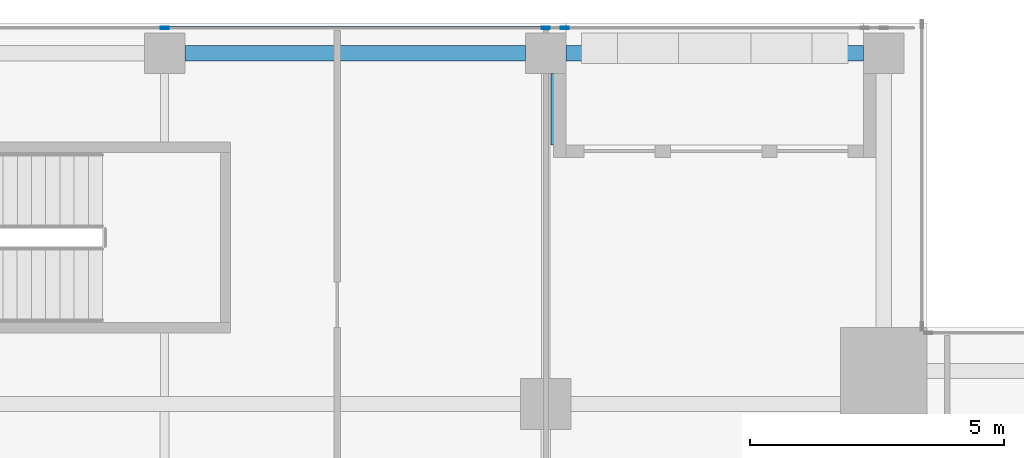
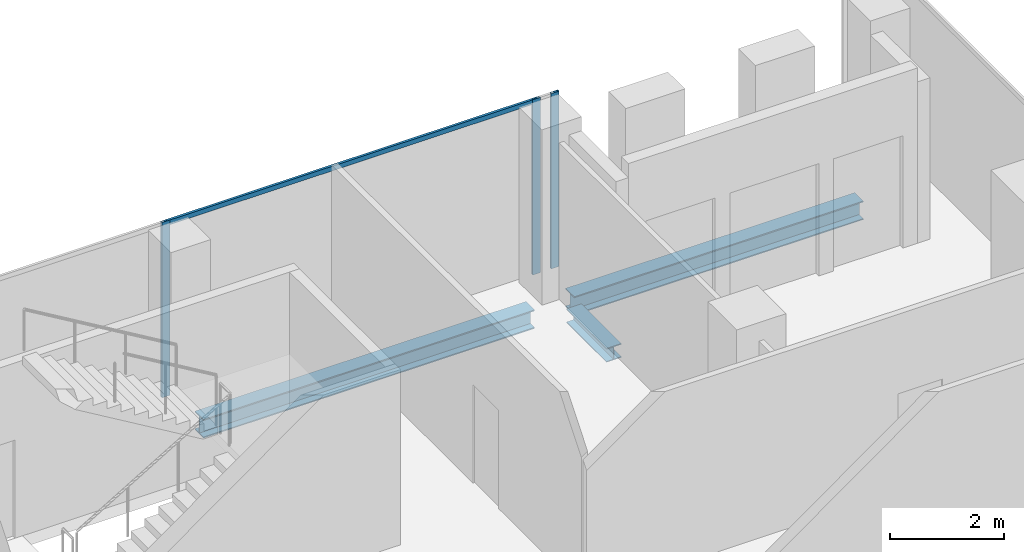
# One storey, part 16 of 29: 4 members, 3 beams, 1 element without a shape of its own.
"""IFC4 building model written with IfcOpenShell, lengths in metres."""

from ifc_helpers import new_model, si_unit, direction, frame, origin, origin_2d, place, context, subcontext, project, spatial, hollow_rectangle, i_section, extrude, source, transform, mapped, material, material_profile, profile_set, type_object, element, aggregate, save


model = new_model("IFC4")

# Units and contexts
model_context = context("Model", 3, precision=1e-05, world=origin(), true_north=direction((0.0, 1.0)))
body_context = subcontext(model_context, "Body", "Model", "MODEL_VIEW")
ifc_project = project(units=[si_unit("LENGTHUNIT", "METRE"), si_unit("AREAUNIT", "SQUARE_METRE"), si_unit("VOLUMEUNIT", "CUBIC_METRE"), si_unit("PLANEANGLEUNIT", "RADIAN"), si_unit("MASSUNIT", "GRAM", prefix="KILO")], contexts=[model_context])

# Site, building, storey
site_placement = place(None, origin())
site = spatial("IfcSite", under=ifc_project, at=site_placement, CompositionType="ELEMENT")
building_placement = place(site_placement, origin())
building = spatial("IfcBuilding", under=site, at=building_placement, Name="Khomas Fold Tower", CompositionType="ELEMENT")
storey_placement = place(building_placement, frame((0.0, 0.0, 290.199951171875)))
storey = spatial("IfcBuildingStorey", under=building, at=storey_placement, Name="L65", CompositionType="ELEMENT", Elevation=290.199951171875)

# Beams
ifc_material_1 = material(Name="Steel S355", Category="steel")
ifc_material_profile_1 = material_profile(ifc_material_1, i_section(OverallWidth=0.300048828125, OverallDepth=0.39990234375, WebThickness=0.013427734375, FlangeThickness=0.02392578125, at=origin_2d()), Name="HE 400 B")
ifc_profile_set_1 = profile_set([ifc_material_profile_1], Name="Steel S355")
beam_type_1 = type_object("IfcBeamType", Name="HE 400 B spandrel SB5", PredefinedType="SPANDREL", material=ifc_profile_set_1)
shared_shape_1 = source(origin(), body_context, "Body", "SweptSolid", [
    extrude(i_section(OverallWidth=0.300048828125, OverallDepth=0.39990234375, WebThickness=0.013427734375, FlangeThickness=0.02392578125, at=origin_2d()), origin(), (0.0, 0.0, 1.0), 5.85009765625),
])
beam_1_placement = place(storey_placement, frame((34.89990234375, 47.39990234375, -0.449951171875), z_axis=(1.0, 0.0, 0.0), x_axis=(0.0, 1.0, 0.0)))
element("IfcBeam", 1, at=beam_1_placement, inside=storey, type_object=beam_type_1, Name="SB5", PredefinedType="SPANDREL", context=body_context, shape_type="MappedRepresentation", body=[
    mapped(shared_shape_1, transform((0.0, 0.0, 0.0))),
])
shared_shape_2 = source(origin(), body_context, "Body", "SweptSolid", [
    extrude(i_section(OverallWidth=0.300048828125, OverallDepth=0.39990234375, WebThickness=0.013427734375, FlangeThickness=0.02392578125, at=origin_2d()), origin(), (0.0, 0.0, 1.0), 6.7001953125),
])
beam_2_placement = place(storey_placement, frame((27.39990234375, 47.39990234375, -0.449951171875), z_axis=(1.0, 0.0, 0.0), x_axis=(0.0, 1.0, 0.0)))
element("IfcBeam", 2, at=beam_2_placement, inside=storey, type_object=beam_type_1, Name="SB5", PredefinedType="SPANDREL", context=body_context, shape_type="MappedRepresentation", body=[
    mapped(shared_shape_2, transform((0.0, 0.0, 0.0))),
])
ifc_material_2 = material(Name="Steel S355", Category="steel")
ifc_material_profile_2 = material_profile(ifc_material_2, i_section(OverallWidth=0.300048828125, OverallDepth=0.300048828125, WebThickness=0.010986328125, FlangeThickness=0.01904296875, at=origin_2d()), Name="HE 300 B")
ifc_profile_set_2 = profile_set([ifc_material_profile_2], Name="Steel S355")
beam_type_2 = type_object("IfcBeamType", Name="HE 300 B beam BB1", PredefinedType="BEAM", material=ifc_profile_set_2)
shared_shape_3 = source(origin(), body_context, "Body", "SweptSolid", [
    extrude(i_section(OverallWidth=0.300048828125, OverallDepth=0.300048828125, WebThickness=0.010986328125, FlangeThickness=0.01904296875, at=origin_2d()), origin(), (0.0, 0.0, 1.0), 1.39990234375),
])
beam_3_placement = place(storey_placement, frame((34.75, 45.60009765625, -0.39990234375), z_axis=(0.0, 1.0, 0.0), x_axis=(-1.0, 0.0, 0.0)))
element("IfcBeam", 3, at=beam_3_placement, inside=storey, type_object=beam_type_2, Name="BB1", PredefinedType="BEAM", context=body_context, shape_type="MappedRepresentation", body=[
    mapped(shared_shape_3, transform((0.0, 0.0, 0.0))),
])

# Curtain wall, members
ifc_material_3 = material(Name="Aluminium framed double glazing", Category="aluminium")
curtain_wall_type = type_object("IfcCurtainWallType", Name="SK-Unitised clear-glass wall, upper floors CW3", PredefinedType="NOTDEFINED", material=ifc_material_3)
curtain_wall_placement = place(storey_placement, origin())
curtain_wall = element("IfcCurtainWall", 4, at=curtain_wall_placement, inside=storey, type_object=curtain_wall_type, Name="CW3 run L65 06-1", PredefinedType="NOTDEFINED")
ifc_material_4 = material(Name="Aluminium", Category="aluminium")
ifc_material_profile_3 = material_profile(ifc_material_4, hollow_rectangle(XDim=0.050048828125, YDim=0.159912109375, WallThickness=0.00390625, at=origin_2d()), Name="SK-Unitised clear-glass wall, upper floors mullion CW3-M")
ifc_profile_set_3 = profile_set([ifc_material_profile_3], Name="Aluminium")
member_type_1 = type_object("IfcMemberType", Name="SK-Unitised clear-glass wall, upper floors mullion CW3-M", PredefinedType="MULLION", material=ifc_profile_set_3)
shared_shape_4 = source(origin(), body_context, "Body", "SweptSolid", [
    extrude(hollow_rectangle(XDim=0.050048828125, YDim=0.159912109375, WallThickness=0.00390625, at=origin_2d()), origin(), (0.0, 0.0, 1.0), 3.75),
])
member_1_placement = place(storey_placement, frame((34.875, 47.89990234375, 0.0), z_axis=(0.0, 0.0, 1.0), x_axis=(0.0, -1.0, 0.0)))
member_1 = element("IfcMember", 5, at=member_1_placement, type_object=member_type_1, Name="CW3 mullion 1", PredefinedType="MULLION", context=body_context, shape_type="MappedRepresentation", body=[
    mapped(shared_shape_4, transform((0.0, 0.0, 0.0))),
])
member_2_placement = place(storey_placement, frame((34.5, 47.89990234375, 0.0), z_axis=(0.0, 0.0, 1.0), x_axis=(0.0, -1.0, 0.0)))
member_2 = element("IfcMember", 6, at=member_2_placement, type_object=member_type_1, Name="CW3 mullion 2", PredefinedType="MULLION", context=body_context, shape_type="MappedRepresentation", body=[
    mapped(shared_shape_4, transform((0.0, 0.0, 0.0))),
])
member_3_placement = place(storey_placement, frame((27.0, 47.89990234375, 0.0), z_axis=(0.0, 0.0, 1.0), x_axis=(0.0, -1.0, 0.0)))
member_3 = element("IfcMember", 7, at=member_3_placement, type_object=member_type_1, Name="CW3 mullion 3", PredefinedType="MULLION", context=body_context, shape_type="MappedRepresentation", body=[
    mapped(shared_shape_4, transform((0.0, 0.0, 0.0))),
])
ifc_material_5 = material(Name="Aluminium", Category="aluminium")
ifc_material_profile_4 = material_profile(ifc_material_5, hollow_rectangle(XDim=0.050048828125, YDim=0.10009765625, WallThickness=0.00390625, at=origin_2d()), Name="SK-Unitised clear-glass wall, upper floors transom CW3-T")
ifc_profile_set_4 = profile_set([ifc_material_profile_4], Name="Aluminium")
member_type_2 = type_object("IfcMemberType", Name="SK-Unitised clear-glass wall, upper floors transom CW3-T", PredefinedType="USERDEFINED", material=ifc_profile_set_4)
shared_shape_5 = source(origin(), body_context, "Body", "SweptSolid", [
    extrude(hollow_rectangle(XDim=0.050048828125, YDim=0.10009765625, WallThickness=0.00390625, at=origin_2d()), origin(), (0.0, 0.0, 1.0), 7.4501953125),
])
member_4_placement = place(storey_placement, frame((34.47509765625, 47.89990234375, 3.699951171875), z_axis=(-1.0, 0.0, 0.0), x_axis=(0.0, -1.0, 0.0)))
member_4 = element("IfcMember", 8, at=member_4_placement, type_object=member_type_2, Name="CW3 transom 2", ObjectType="TRANSOM", PredefinedType="USERDEFINED", context=body_context, shape_type="MappedRepresentation", body=[
    mapped(shared_shape_5, transform((0.0, 0.0, 0.0))),
])
aggregate(curtain_wall, [member_1, member_2, member_3, member_4])

save(model, "model.ifc")
